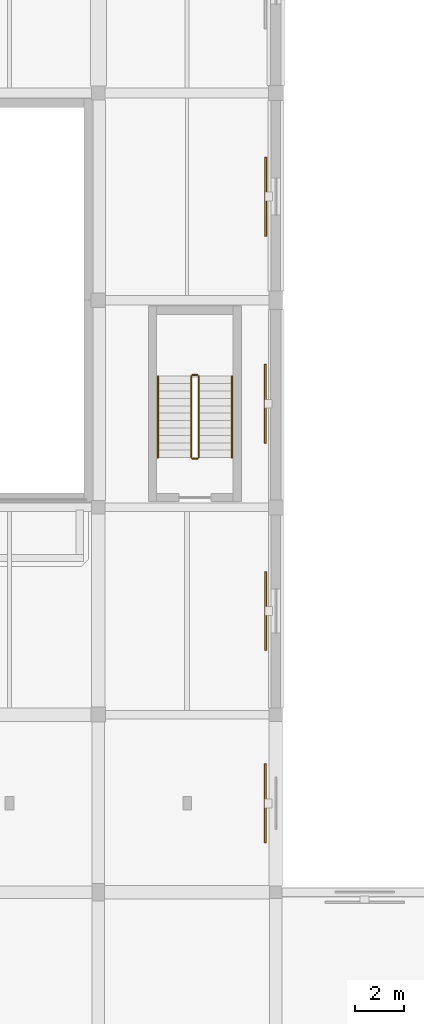
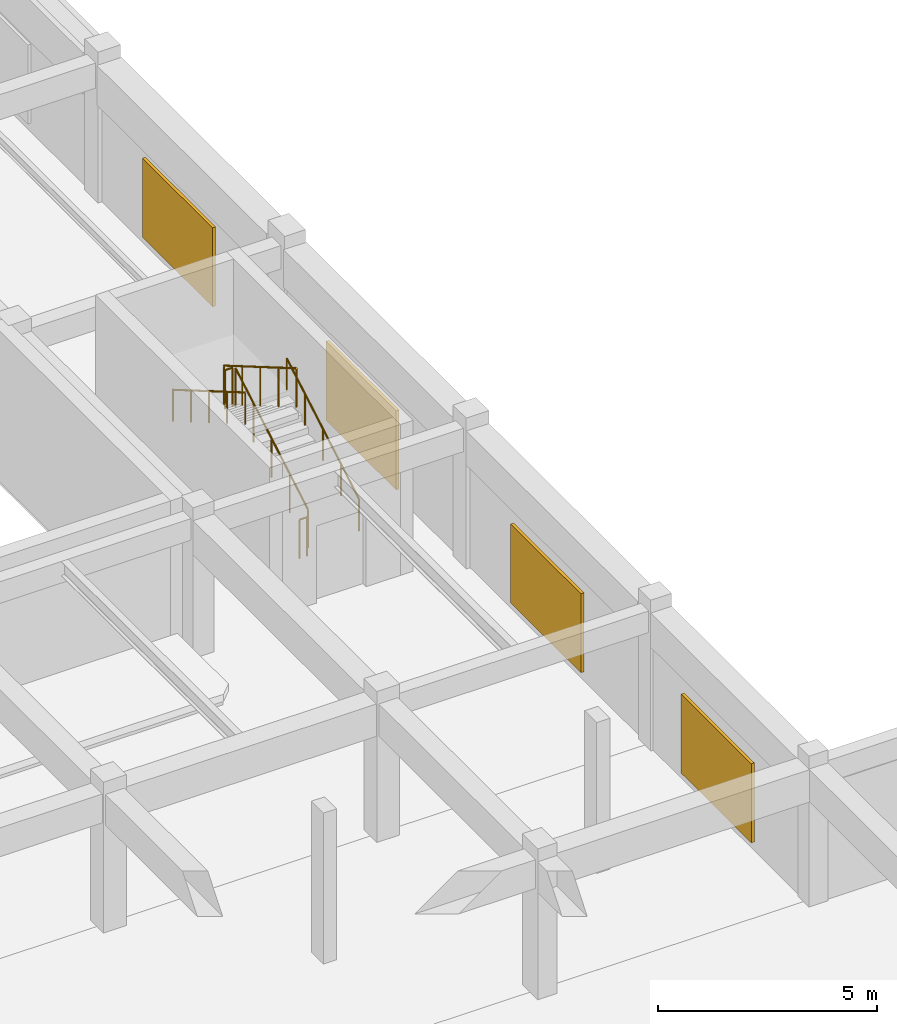
# One storey, part 70 of 71: 6 railings, 4 shading devices.
"""IFC4 building model written with IfcOpenShell, lengths in metres."""

from ifc_helpers import new_model, si_unit, direction, frame, origin, origin_2d, place, context, subcontext, project, spatial, rectangle, circle, extrude, material, layer, layer_set, type_object, element, save


model = new_model("IFC4")

# Units and contexts
model_context = context("Model", 3, precision=1e-05, world=origin(), true_north=direction((0.0, 1.0)))
body_context = subcontext(model_context, "Body", "Model", "MODEL_VIEW")
ifc_project = project(units=[si_unit("LENGTHUNIT", "METRE"), si_unit("AREAUNIT", "SQUARE_METRE"), si_unit("VOLUMEUNIT", "CUBIC_METRE"), si_unit("PLANEANGLEUNIT", "RADIAN"), si_unit("MASSUNIT", "GRAM", prefix="KILO")], contexts=[model_context])

# Site, building, storey
site_placement = place(None, origin())
site = spatial("IfcSite", under=ifc_project, at=site_placement, CompositionType="ELEMENT")
building_placement = place(site_placement, origin())
building = spatial("IfcBuilding", under=site, at=building_placement, Name="Korsvaeld Concert Hall", CompositionType="ELEMENT")
storey_placement = place(building_placement, frame((0.0, 0.0, 4.800048828125)))
storey = spatial("IfcBuildingStorey", under=building, at=storey_placement, Name="L01", CompositionType="ELEMENT", Elevation=4.800048828125)

# Railings
ifc_material_1 = material(Name="Powder-coated steel and bronze stair guardrail", Category="steel")
railing_type_1 = type_object("IfcRailingType", Name="RL-STAIR-GUARD-120", PredefinedType="GUARDRAIL", material=ifc_material_1)
railing_1_placement = place(storey_placement, frame((150.469970703125, 53.6201171875, 0.175048828125)))
element("IfcRailing", 1, at=railing_1_placement, inside=storey, type_object=railing_type_1, Name="L01 ST-F4 stair guard 1", PredefinedType="GUARDRAIL", context=body_context, shape_type="SweptSolid", body=[
    extrude(circle(Radius=0.02392578125, at=origin_2d()), frame((0.0, 0.0, 1.076171875), z_axis=(0.0, 0.863788172461, 0.503855131081), x_axis=(-1.0, 0.0, 0.0)), (0.0, 0.0, 1.0), 3.820068359375),
    extrude(circle(Radius=0.02099609375, at=origin_2d()), origin(), (0.0, 0.0, 1.0), 1.052001953125),
    extrude(circle(Radius=0.02099609375, at=origin_2d()), frame((0.0, 0.824951171875, 0.481201171875)), (0.0, 0.0, 1.0), 1.052001953125),
    extrude(circle(Radius=0.02099609375, at=origin_2d()), frame((0.0, 1.64990234375, 0.96240234375)), (0.0, 0.0, 1.0), 1.052001953125),
    extrude(circle(Radius=0.02099609375, at=origin_2d()), frame((0.0, 2.474853515625, 1.443603515625)), (0.0, 0.0, 1.0), 1.052001953125),
    extrude(circle(Radius=0.02099609375, at=origin_2d()), frame((0.0, 3.2998046875, 1.9248046875)), (0.0, 0.0, 1.0), 1.052001953125),
])
railing_2_placement = place(storey_placement, frame((150.419921875, 56.969970703125, 2.099853515625)))
element("IfcRailing", 2, at=railing_2_placement, inside=storey, type_object=railing_type_1, Name="L01 ST-F4 stair guard 2", PredefinedType="GUARDRAIL", context=body_context, shape_type="SweptSolid", body=[
    extrude(circle(Radius=0.02392578125, at=origin_2d()), frame((0.0, 0.0, 1.076171875), z_axis=(-1.0, 0.0, 0.0), x_axis=(0.0, -1.0, 0.0)), (0.0, 0.0, 1.0), 0.199951171875),
    extrude(circle(Radius=0.02099609375, at=origin_2d()), origin(), (0.0, 0.0, 1.0), 1.052001953125),
    extrude(circle(Radius=0.02099609375, at=origin_2d()), frame((-0.199951171875, 0.0, 0.0)), (0.0, 0.0, 1.0), 1.052001953125),
])
railing_3_placement = place(storey_placement, frame((150.169921875, 56.919921875, 2.27490234375)))
element("IfcRailing", 3, at=railing_3_placement, inside=storey, type_object=railing_type_1, Name="L01 ST-F4 stair guard 3", PredefinedType="GUARDRAIL", context=body_context, shape_type="SweptSolid", body=[
    extrude(circle(Radius=0.02392578125, at=origin_2d()), frame((0.0, 0.0, 1.076171875), z_axis=(0.0, -0.863760357493, 0.503902812876), x_axis=(1.0, 0.0, 0.0)), (0.0, 0.0, 1.0), 3.8203125),
    extrude(circle(Radius=0.02099609375, at=origin_2d()), origin(), (0.0, 0.0, 1.0), 1.052001953125),
    extrude(circle(Radius=0.02099609375, at=origin_2d()), frame((0.0, -0.824951171875, 0.481201171875)), (0.0, 0.0, 1.0), 1.052001953125),
    extrude(circle(Radius=0.02099609375, at=origin_2d()), frame((0.0, -1.64990234375, 0.96240234375)), (0.0, 0.0, 1.0), 1.052001953125),
    extrude(circle(Radius=0.02099609375, at=origin_2d()), frame((0.0, -2.474853515625, 1.44384765625)), (0.0, 0.0, 1.0), 1.052001953125),
    extrude(circle(Radius=0.02099609375, at=origin_2d()), frame((0.0, -3.2998046875, 1.925048828125)), (0.0, 0.0, 1.0), 1.052001953125),
])
railing_4_placement = place(storey_placement, frame((150.419921875, 53.570068359375, 0.0)))
element("IfcRailing", 4, at=railing_4_placement, inside=storey, type_object=railing_type_1, Name="L01 ST-F4 stair guard 4", PredefinedType="GUARDRAIL", context=body_context, shape_type="SweptSolid", body=[
    extrude(circle(Radius=0.02392578125, at=origin_2d()), frame((0.0, 0.0, 1.076171875), z_axis=(-1.0, 0.0, 0.0), x_axis=(0.0, -1.0, 0.0)), (0.0, 0.0, 1.0), 0.199951171875),
    extrude(circle(Radius=0.02099609375, at=origin_2d()), origin(), (0.0, 0.0, 1.0), 1.052001953125),
    extrude(circle(Radius=0.02099609375, at=origin_2d()), frame((-0.199951171875, 0.0, 0.0)), (0.0, 0.0, 1.0), 1.052001953125),
])
ifc_material_2 = material(Name="European oak and bronze stair handrail")
railing_type_2 = type_object("IfcRailingType", Name="RL-STAIR-HAND-90", PredefinedType="HANDRAIL", material=ifc_material_2)
railing_5_placement = place(storey_placement, frame((151.820068359375, 53.6201171875, 0.175048828125)))
element("IfcRailing", 5, at=railing_5_placement, inside=storey, type_object=railing_type_2, Name="L01 ST-F4 stair handrail 1", PredefinedType="HANDRAIL", context=body_context, shape_type="SweptSolid", body=[
    extrude(circle(Radius=0.02392578125, at=origin_2d()), frame((0.0, 0.0, 0.8759765625), z_axis=(0.0, 0.863788172461, 0.503855131081), x_axis=(-1.0, 0.0, 0.0)), (0.0, 0.0, 1.0), 3.820068359375),
    extrude(circle(Radius=0.02099609375, at=origin_2d()), origin(), (0.0, 0.0, 1.0), 0.851806640625),
    extrude(circle(Radius=0.02099609375, at=origin_2d()), frame((0.0, 0.824951171875, 0.481201171875)), (0.0, 0.0, 1.0), 0.851806640625),
    extrude(circle(Radius=0.02099609375, at=origin_2d()), frame((0.0, 1.64990234375, 0.96240234375)), (0.0, 0.0, 1.0), 0.851806640625),
    extrude(circle(Radius=0.02099609375, at=origin_2d()), frame((0.0, 2.474853515625, 1.443603515625)), (0.0, 0.0, 1.0), 0.851806640625),
    extrude(circle(Radius=0.02099609375, at=origin_2d()), frame((0.0, 3.2998046875, 1.9248046875)), (0.0, 0.0, 1.0), 0.851806640625),
])
railing_6_placement = place(storey_placement, frame((148.820068359375, 56.919921875, 2.27490234375)))
element("IfcRailing", 6, at=railing_6_placement, inside=storey, type_object=railing_type_2, Name="L01 ST-F4 stair handrail 2", PredefinedType="HANDRAIL", context=body_context, shape_type="SweptSolid", body=[
    extrude(circle(Radius=0.02392578125, at=origin_2d()), frame((0.0, 0.0, 0.8759765625), z_axis=(0.0, -0.863760357493, 0.503902812876), x_axis=(1.0, 0.0, 0.0)), (0.0, 0.0, 1.0), 3.8203125),
    extrude(circle(Radius=0.02099609375, at=origin_2d()), origin(), (0.0, 0.0, 1.0), 0.851806640625),
    extrude(circle(Radius=0.02099609375, at=origin_2d()), frame((0.0, -0.824951171875, 0.481201171875)), (0.0, 0.0, 1.0), 0.851806640625),
    extrude(circle(Radius=0.02099609375, at=origin_2d()), frame((0.0, -1.64990234375, 0.96240234375)), (0.0, 0.0, 1.0), 0.851806640625),
    extrude(circle(Radius=0.02099609375, at=origin_2d()), frame((0.0, -2.474853515625, 1.44384765625)), (0.0, 0.0, 1.0), 0.851806640625),
    extrude(circle(Radius=0.02099609375, at=origin_2d()), frame((0.0, -3.2998046875, 1.925048828125)), (0.0, 0.0, 1.0), 0.851806640625),
])

# Shading devices
ifc_material_3 = material(Name="Anodised architectural bronze pierced jali screen")
ifc_layer = layer(ifc_material_3, 0.080078125)
ifc_layer_set = layer_set([ifc_layer], Name="Anodised architectural bronze pierced jali screen")
shading_device_type = type_object("IfcShadingDeviceType", Name="SHD-JALI-BRONZE", PredefinedType="JALOUSIE", material=ifc_layer_set)
for number, where, z_axis, x_axis, name in (
    (7, (153.18505859375, 64.199951171875, 0.5), (0.0, 0.0, 1.0), (0.0, -1.0, 0.0), "Bronze pierced jali brise-soleil screen L01-41"),
    (8, (153.169921875, 55.800048828125, 0.5), (0.0, 0.0, 1.0), (0.0, -1.0, 0.0), "Bronze pierced jali brise-soleil screen L01-42"),
    (9, (153.18505859375, 47.39990234375, 0.5), (0.0, 0.0, 1.0), (0.0, -1.0, 0.0), "Bronze pierced jali brise-soleil screen L01-43"),
    (10, (153.169921875, 39.60009765625, 0.5), (0.0, 0.0, 1.0), (0.0, -1.0, 0.0), "Bronze pierced jali brise-soleil screen L01-44"),
):
    element("IfcShadingDevice", number, at=place(storey_placement, frame(where, z_axis=z_axis, x_axis=x_axis)), inside=storey, type_object=shading_device_type, Name=name, PredefinedType="JALOUSIE", context=body_context, shape_type="SweptSolid", body=[
        extrude(rectangle(XDim=3.199951171875, YDim=0.080078125, at=origin_2d()), origin(), (0.0, 0.0, 1.0), 2.199951171875),
    ])

save(model, "model.ifc")
